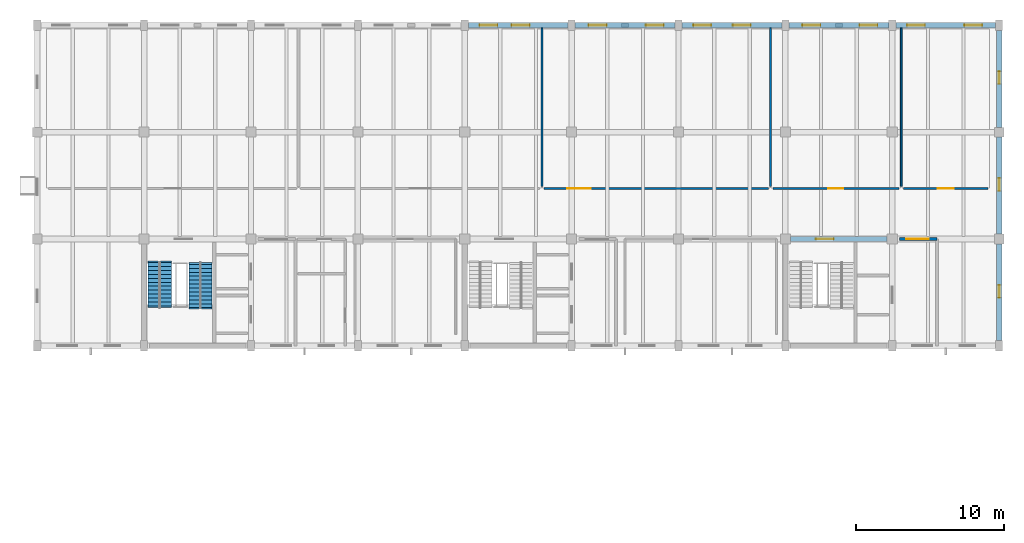
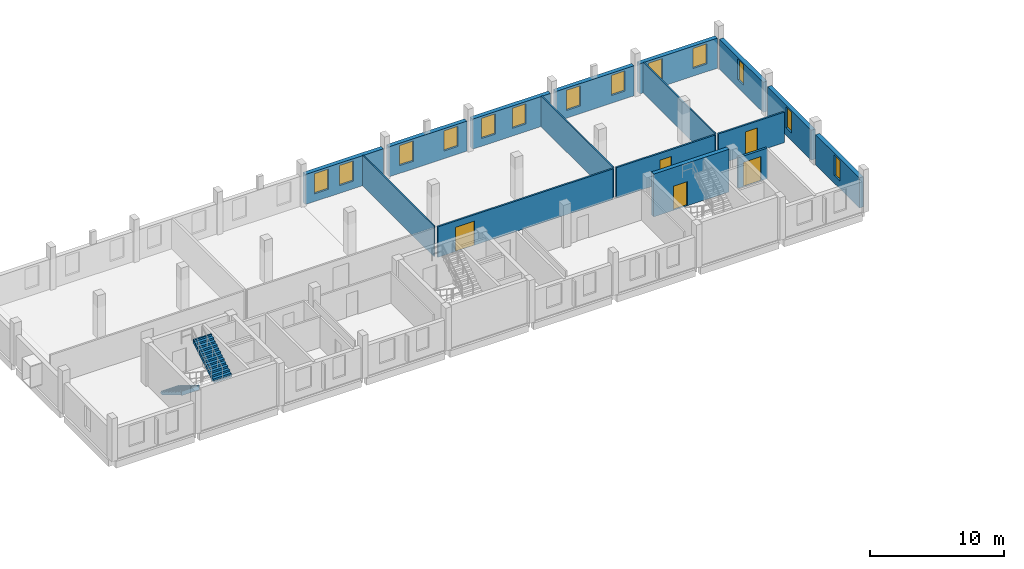
# One storey, part 8 of 11: 16 walls, 13 windows, 5 doors, 2 stair flights, 18 openings, 1 element without a shape of its own.
"""IFC4 building model written with IfcOpenShell, lengths in metres."""

from ifc_helpers import new_model, si_unit, direction, frame, frame_2d, origin, place, context, subcontext, project, spatial, polyline, rectangle, outline, extrude, material, layer, layer_set, type_object, element, fill, aggregate, save


model = new_model("IFC4")

# Units and contexts
model_context = context("Model", 3, precision=1e-05, world=origin(), true_north=direction((0.0, 1.0)))
body_context = subcontext(model_context, "Body", "Model", "MODEL_VIEW")
ifc_project = project(units=[si_unit("LENGTHUNIT", "METRE"), si_unit("AREAUNIT", "SQUARE_METRE"), si_unit("VOLUMEUNIT", "CUBIC_METRE"), si_unit("PLANEANGLEUNIT", "RADIAN"), si_unit("MASSUNIT", "GRAM", prefix="KILO")], contexts=[model_context])

# Site, building, storey
site_placement = place(None, origin())
site = spatial("IfcSite", under=ifc_project, at=site_placement, CompositionType="ELEMENT")
building_placement = place(site_placement, origin())
building = spatial("IfcBuilding", under=site, at=building_placement, Name="Qiaolan Assembly House", CompositionType="ELEMENT")
storey_placement = place(building_placement, frame((0.0, 0.0, 26.39990234375)))
storey = spatial("IfcBuildingStorey", under=building, at=storey_placement, Name="L06", CompositionType="ELEMENT", Elevation=26.39990234375)

# Wall, opening, door
ifc_material_1 = material(Name="Concrete C40/50", Category="concrete")
ifc_layer_1 = layer(ifc_material_1, 0.35009765625)
ifc_layer_set_1 = layer_set([ifc_layer_1], Name="Concrete C40/50")
wall_type_1 = type_object("IfcWallType", Name="WAL-CORE-350", PredefinedType="SHEAR", material=ifc_layer_set_1)
wall_1_placement = place(storey_placement, frame((93.25, 100.800048828125, 0.0), z_axis=(0.0, 0.0, 1.0), x_axis=(-1.0, 0.0, 0.0)))
wall_1 = element("IfcWall", 1, at=wall_1_placement, inside=storey, type_object=wall_type_1, Name="CW-350 shear core wall CORE-G N L06", PredefinedType="SHEAR", context=body_context, shape_type="SweptSolid", body=[
    extrude(rectangle(XDim=6.5, YDim=0.35009765625, at=frame_2d((3.25, 0.0))), origin(), (0.0, 0.0, 1.0), 3.900146484375),
])
opening_1_placement = place(wall_1_placement, frame((3.60009765625, 0.0, 0.0)))
opening_1 = element("IfcOpeningElement", 2, at=opening_1_placement, cuts=wall_1, Name="Opening FD-067", PredefinedType="OPENING", context=body_context, shape_type="SweptSolid", body=[
    extrude(rectangle(XDim=1.199951171875, YDim=2.199951171875, at=frame_2d((0.60009765625, 1.10009765625))), frame((0.0, 0.18505859375, 0.0), z_axis=(0.0, -1.0, 0.0), x_axis=(1.0, 0.0, 0.0)), (0.0, 0.0, 1.0), 0.3701171875),
])
ifc_material_2 = material(Name="Steel Q355B", Category="steel")
door_type_1 = type_object("IfcDoorType", Name="DOR-FIRE-FD90-1200", OperationType="NOTDEFINED", PredefinedType="DOOR", material=ifc_material_2)
door_1_placement = place(opening_1_placement, frame((1.199951171875, 0.0, 0.0), z_axis=(0.0, 0.0, 1.0), x_axis=(-1.0, 0.0, 0.0)))
door_1 = element("IfcDoor", 3, at=door_1_placement, inside=storey, type_object=door_type_1, Name="Stairwell fire door FD-067 (CORE-G L06)", OperationType="SINGLE_SWING_LEFT", OverallHeight=2.199951171875, OverallWidth=1.199951171875, PredefinedType="DOOR", context=body_context, shape_type="SweptSolid", body=[
    extrude(rectangle(XDim=1.199951171875, YDim=2.199951171875, at=frame_2d((0.60009765625, 1.10009765625))), frame((0.0, 0.02490234375, 0.0), z_axis=(0.0, -1.0, 0.0), x_axis=(1.0, 0.0, 0.0)), (0.0, 0.0, 1.0), 0.050048828125),
])
fill(opening_1, door_1)

# Wall, openings, windows
ifc_material_3 = material(Name="Honed pale limestone", Category="masonry")
ifc_layer_2 = layer(ifc_material_3, 0.360107421875)
ifc_layer_set_2 = layer_set([ifc_layer_2], Name="Honed pale limestone")
wall_type_2 = type_object("IfcWallType", Name="WAL-EXT-LIMESTONE-360", PredefinedType="SOLIDWALL", material=ifc_layer_set_2)
wall_2_placement = place(storey_placement, frame((71.761962890625, 115.199951171875, 0.0), z_axis=(0.0, 0.0, 1.0), x_axis=(-1.0, 0.0, 0.0)))
wall_2 = element("IfcWall", 4, at=wall_2_placement, inside=storey, type_object=wall_type_2, Name="EW-360 NW North street wall L06 bay 5", PredefinedType="SOLIDWALL", context=body_context, shape_type="SweptSolid", body=[
    extrude(rectangle(XDim=6.723876953125, YDim=0.360107421875, at=frame_2d((3.36181640625, 0.0))), origin(), (0.0, 0.0, 1.0), 2.739990234375),
])
opening_2_placement = place(wall_2_placement, frame((2.596923828125, 0.0, 0.699951171875)))
opening_2 = element("IfcOpeningElement", 5, at=opening_2_placement, cuts=wall_2, Name="Opening WN-196", PredefinedType="OPENING", context=body_context, shape_type="SweptSolid", body=[
    extrude(rectangle(XDim=1.199951171875, YDim=1.840087890625, at=frame_2d((0.60009765625, 0.919921875))), frame((0.0, 0.18994140625, 0.0), z_axis=(0.0, -1.0, 0.0), x_axis=(1.0, 0.0, 0.0)), (0.0, 0.0, 1.0), 0.380126953125),
])
opening_3_placement = place(wall_2_placement, frame((4.761962890625, 0.0, 0.699951171875)))
opening_3 = element("IfcOpeningElement", 6, at=opening_3_placement, cuts=wall_2, Name="Opening WN-197", PredefinedType="OPENING", context=body_context, shape_type="SweptSolid", body=[
    extrude(rectangle(XDim=1.199951171875, YDim=1.840087890625, at=frame_2d((0.60009765625, 0.919921875))), frame((0.0, 0.18994140625, 0.0), z_axis=(0.0, -1.0, 0.0), x_axis=(1.0, 0.0, 0.0)), (0.0, 0.0, 1.0), 0.380126953125),
])
ifc_material_4 = material(Name="Low-E double insulating glass", Category="glass")
window_type_1 = type_object("IfcWindowType", Name="WIN-ATTIC-1200x2100", PartitioningType="DOUBLE_PANEL_VERTICAL", PredefinedType="WINDOW", material=ifc_material_4)
window_1_placement = place(opening_2_placement, origin())
window_1 = element("IfcWindow", 7, at=window_1_placement, inside=storey, type_object=window_type_1, Name="WN-T08 window WN-196", OverallHeight=1.840087890625, OverallWidth=1.199951171875, PartitioningType="DOUBLE_PANEL_VERTICAL", PredefinedType="WINDOW", context=body_context, shape_type="SweptSolid", body=[
    extrude(rectangle(XDim=1.199951171875, YDim=1.840087890625, at=frame_2d((0.60009765625, 0.919921875))), frame((0.0, 0.030029296875, 0.0), z_axis=(0.0, -1.0, 0.0), x_axis=(1.0, 0.0, 0.0)), (0.0, 0.0, 1.0), 0.06005859375),
])
fill(opening_2, window_1)
window_2_placement = place(opening_3_placement, origin())
window_2 = element("IfcWindow", 8, at=window_2_placement, inside=storey, type_object=window_type_1, Name="WN-T08 window WN-197", OverallHeight=1.840087890625, OverallWidth=1.199951171875, PartitioningType="DOUBLE_PANEL_VERTICAL", PredefinedType="WINDOW", context=body_context, shape_type="SweptSolid", body=[
    extrude(rectangle(XDim=1.199951171875, YDim=1.840087890625, at=frame_2d((0.60009765625, 0.919921875))), frame((0.0, 0.030029296875, 0.0), z_axis=(0.0, -1.0, 0.0), x_axis=(1.0, 0.0, 0.0)), (0.0, 0.0, 1.0), 0.06005859375),
])
fill(opening_3, window_2)

wall_3_placement = place(storey_placement, frame((78.9619140625, 115.199951171875, 0.0), z_axis=(0.0, 0.0, 1.0), x_axis=(-1.0, 0.0, 0.0)))
wall_3 = element("IfcWall", 9, at=wall_3_placement, inside=storey, type_object=wall_type_2, Name="EW-360 NW North street wall L06 bay 6", PredefinedType="SOLIDWALL", context=body_context, shape_type="SweptSolid", body=[
    extrude(rectangle(XDim=6.723876953125, YDim=0.360107421875, at=frame_2d((3.36181640625, 0.0))), origin(), (0.0, 0.0, 1.0), 2.739990234375),
])
opening_4_placement = place(wall_3_placement, frame((0.761962890625, 0.0, 0.699951171875)))
opening_4 = element("IfcOpeningElement", 10, at=opening_4_placement, cuts=wall_3, Name="Opening WN-198", PredefinedType="OPENING", context=body_context, shape_type="SweptSolid", body=[
    extrude(rectangle(XDim=1.199951171875, YDim=1.840087890625, at=frame_2d((0.60009765625, 0.919921875))), frame((0.0, 0.18994140625, 0.0), z_axis=(0.0, -1.0, 0.0), x_axis=(1.0, 0.0, 0.0)), (0.0, 0.0, 1.0), 0.380126953125),
])
opening_5_placement = place(wall_3_placement, frame((4.612060546875, 0.0, 0.699951171875)))
opening_5 = element("IfcOpeningElement", 11, at=opening_5_placement, cuts=wall_3, Name="Opening WN-199", PredefinedType="OPENING", context=body_context, shape_type="SweptSolid", body=[
    extrude(rectangle(XDim=1.199951171875, YDim=1.840087890625, at=frame_2d((0.60009765625, 0.919921875))), frame((0.0, 0.18994140625, 0.0), z_axis=(0.0, -1.0, 0.0), x_axis=(1.0, 0.0, 0.0)), (0.0, 0.0, 1.0), 0.380126953125),
])
window_3_placement = place(opening_4_placement, origin())
window_3 = element("IfcWindow", 12, at=window_3_placement, inside=storey, type_object=window_type_1, Name="WN-T08 window WN-198", OverallHeight=1.840087890625, OverallWidth=1.199951171875, PartitioningType="DOUBLE_PANEL_VERTICAL", PredefinedType="WINDOW", context=body_context, shape_type="SweptSolid", body=[
    extrude(rectangle(XDim=1.199951171875, YDim=1.840087890625, at=frame_2d((0.60009765625, 0.919921875))), frame((0.0, 0.030029296875, 0.0), z_axis=(0.0, -1.0, 0.0), x_axis=(1.0, 0.0, 0.0)), (0.0, 0.0, 1.0), 0.06005859375),
])
fill(opening_4, window_3)
window_4_placement = place(opening_5_placement, origin())
window_4 = element("IfcWindow", 13, at=window_4_placement, inside=storey, type_object=window_type_1, Name="WN-T08 window WN-199", OverallHeight=1.840087890625, OverallWidth=1.199951171875, PartitioningType="DOUBLE_PANEL_VERTICAL", PredefinedType="WINDOW", context=body_context, shape_type="SweptSolid", body=[
    extrude(rectangle(XDim=1.199951171875, YDim=1.840087890625, at=frame_2d((0.60009765625, 0.919921875))), frame((0.0, 0.030029296875, 0.0), z_axis=(0.0, -1.0, 0.0), x_axis=(1.0, 0.0, 0.0)), (0.0, 0.0, 1.0), 0.06005859375),
])
fill(opening_5, window_4)

wall_4_placement = place(storey_placement, frame((86.162109375, 115.199951171875, 0.0), z_axis=(0.0, 0.0, 1.0), x_axis=(-1.0, 0.0, 0.0)))
wall_4 = element("IfcWall", 14, at=wall_4_placement, inside=storey, type_object=wall_type_2, Name="EW-360 NW North street wall L06 bay 7", PredefinedType="SOLIDWALL", context=body_context, shape_type="SweptSolid", body=[
    extrude(rectangle(XDim=6.72412109375, YDim=0.360107421875, at=frame_2d((3.362060546875, 0.0))), origin(), (0.0, 0.0, 1.0), 2.739990234375),
])
opening_6_placement = place(wall_4_placement, frame((2.096923828125, 0.0, 0.699951171875)))
opening_6 = element("IfcOpeningElement", 15, at=opening_6_placement, cuts=wall_4, Name="Opening WN-200", PredefinedType="OPENING", context=body_context, shape_type="SweptSolid", body=[
    extrude(rectangle(XDim=1.199951171875, YDim=1.840087890625, at=frame_2d((0.60009765625, 0.919921875))), frame((0.0, 0.18994140625, 0.0), z_axis=(0.0, -1.0, 0.0), x_axis=(1.0, 0.0, 0.0)), (0.0, 0.0, 1.0), 0.380126953125),
])
opening_7_placement = place(wall_4_placement, frame((4.761962890625, 0.0, 0.699951171875)))
opening_7 = element("IfcOpeningElement", 16, at=opening_7_placement, cuts=wall_4, Name="Opening WN-201", PredefinedType="OPENING", context=body_context, shape_type="SweptSolid", body=[
    extrude(rectangle(XDim=1.199951171875, YDim=1.840087890625, at=frame_2d((0.60009765625, 0.919921875))), frame((0.0, 0.18994140625, 0.0), z_axis=(0.0, -1.0, 0.0), x_axis=(1.0, 0.0, 0.0)), (0.0, 0.0, 1.0), 0.380126953125),
])
window_5_placement = place(opening_6_placement, origin())
window_5 = element("IfcWindow", 17, at=window_5_placement, inside=storey, type_object=window_type_1, Name="WN-T08 window WN-200", OverallHeight=1.840087890625, OverallWidth=1.199951171875, PartitioningType="DOUBLE_PANEL_VERTICAL", PredefinedType="WINDOW", context=body_context, shape_type="SweptSolid", body=[
    extrude(rectangle(XDim=1.199951171875, YDim=1.840087890625, at=frame_2d((0.60009765625, 0.919921875))), frame((0.0, 0.030029296875, 0.0), z_axis=(0.0, -1.0, 0.0), x_axis=(1.0, 0.0, 0.0)), (0.0, 0.0, 1.0), 0.06005859375),
])
fill(opening_6, window_5)
window_6_placement = place(opening_7_placement, origin())
window_6 = element("IfcWindow", 18, at=window_6_placement, inside=storey, type_object=window_type_1, Name="WN-T08 window WN-201", OverallHeight=1.840087890625, OverallWidth=1.199951171875, PartitioningType="DOUBLE_PANEL_VERTICAL", PredefinedType="WINDOW", context=body_context, shape_type="SweptSolid", body=[
    extrude(rectangle(XDim=1.199951171875, YDim=1.840087890625, at=frame_2d((0.60009765625, 0.919921875))), frame((0.0, 0.030029296875, 0.0), z_axis=(0.0, -1.0, 0.0), x_axis=(1.0, 0.0, 0.0)), (0.0, 0.0, 1.0), 0.06005859375),
])
fill(opening_7, window_6)

wall_5_placement = place(storey_placement, frame((93.362060546875, 115.199951171875, 0.0), z_axis=(0.0, 0.0, 1.0), x_axis=(-1.0, 0.0, 0.0)))
wall_5 = element("IfcWall", 19, at=wall_5_placement, inside=storey, type_object=wall_type_2, Name="EW-360 NW North street wall L06 bay 8", PredefinedType="SOLIDWALL", context=body_context, shape_type="SweptSolid", body=[
    extrude(rectangle(XDim=6.72412109375, YDim=0.360107421875, at=frame_2d((3.362060546875, 0.0))), origin(), (0.0, 0.0, 1.0), 2.739990234375),
])
opening_8_placement = place(wall_5_placement, frame((0.761962890625, 0.0, 0.699951171875)))
opening_8 = element("IfcOpeningElement", 20, at=opening_8_placement, cuts=wall_5, Name="Opening WN-202", PredefinedType="OPENING", context=body_context, shape_type="SweptSolid", body=[
    extrude(rectangle(XDim=1.199951171875, YDim=1.840087890625, at=frame_2d((0.60009765625, 0.919921875))), frame((0.0, 0.18994140625, 0.0), z_axis=(0.0, -1.0, 0.0), x_axis=(1.0, 0.0, 0.0)), (0.0, 0.0, 1.0), 0.380126953125),
])
opening_9_placement = place(wall_5_placement, frame((4.612060546875, 0.0, 0.699951171875)))
opening_9 = element("IfcOpeningElement", 21, at=opening_9_placement, cuts=wall_5, Name="Opening WN-203", PredefinedType="OPENING", context=body_context, shape_type="SweptSolid", body=[
    extrude(rectangle(XDim=1.199951171875, YDim=1.840087890625, at=frame_2d((0.60009765625, 0.919921875))), frame((0.0, 0.18994140625, 0.0), z_axis=(0.0, -1.0, 0.0), x_axis=(1.0, 0.0, 0.0)), (0.0, 0.0, 1.0), 0.380126953125),
])
window_7_placement = place(opening_8_placement, origin())
window_7 = element("IfcWindow", 22, at=window_7_placement, inside=storey, type_object=window_type_1, Name="WN-T08 window WN-202", OverallHeight=1.840087890625, OverallWidth=1.199951171875, PartitioningType="DOUBLE_PANEL_VERTICAL", PredefinedType="WINDOW", context=body_context, shape_type="SweptSolid", body=[
    extrude(rectangle(XDim=1.199951171875, YDim=1.840087890625, at=frame_2d((0.60009765625, 0.919921875))), frame((0.0, 0.030029296875, 0.0), z_axis=(0.0, -1.0, 0.0), x_axis=(1.0, 0.0, 0.0)), (0.0, 0.0, 1.0), 0.06005859375),
])
fill(opening_8, window_7)
window_8_placement = place(opening_9_placement, origin())
window_8 = element("IfcWindow", 23, at=window_8_placement, inside=storey, type_object=window_type_1, Name="WN-T08 window WN-203", OverallHeight=1.840087890625, OverallWidth=1.199951171875, PartitioningType="DOUBLE_PANEL_VERTICAL", PredefinedType="WINDOW", context=body_context, shape_type="SweptSolid", body=[
    extrude(rectangle(XDim=1.199951171875, YDim=1.840087890625, at=frame_2d((0.60009765625, 0.919921875))), frame((0.0, 0.030029296875, 0.0), z_axis=(0.0, -1.0, 0.0), x_axis=(1.0, 0.0, 0.0)), (0.0, 0.0, 1.0), 0.06005859375),
])
fill(opening_9, window_8)

wall_6_placement = place(storey_placement, frame((100.56201171875, 115.199951171875, 0.0), z_axis=(0.0, 0.0, 1.0), x_axis=(-1.0, 0.0, 0.0)))
wall_6 = element("IfcWall", 24, at=wall_6_placement, inside=storey, type_object=wall_type_2, Name="EW-360 NW North street wall L06 bay 9", PredefinedType="SOLIDWALL", context=body_context, shape_type="SweptSolid", body=[
    extrude(rectangle(XDim=6.72412109375, YDim=0.360107421875, at=frame_2d((3.362060546875, 0.0))), origin(), (0.0, 0.0, 1.0), 2.739990234375),
])
opening_10_placement = place(wall_6_placement, frame((0.912109375, 0.0, 0.699951171875)))
opening_10 = element("IfcOpeningElement", 25, at=opening_10_placement, cuts=wall_6, Name="Opening WN-204", PredefinedType="OPENING", context=body_context, shape_type="SweptSolid", body=[
    extrude(rectangle(XDim=1.199951171875, YDim=1.840087890625, at=frame_2d((0.60009765625, 0.919921875))), frame((0.0, 0.18994140625, 0.0), z_axis=(0.0, -1.0, 0.0), x_axis=(1.0, 0.0, 0.0)), (0.0, 0.0, 1.0), 0.380126953125),
])
opening_11_placement = place(wall_6_placement, frame((4.761962890625, 0.0, 0.699951171875)))
opening_11 = element("IfcOpeningElement", 26, at=opening_11_placement, cuts=wall_6, Name="Opening WN-205", PredefinedType="OPENING", context=body_context, shape_type="SweptSolid", body=[
    extrude(rectangle(XDim=1.199951171875, YDim=1.840087890625, at=frame_2d((0.60009765625, 0.919921875))), frame((0.0, 0.18994140625, 0.0), z_axis=(0.0, -1.0, 0.0), x_axis=(1.0, 0.0, 0.0)), (0.0, 0.0, 1.0), 0.380126953125),
])
window_9_placement = place(opening_10_placement, origin())
window_9 = element("IfcWindow", 27, at=window_9_placement, inside=storey, type_object=window_type_1, Name="WN-T08 window WN-204", OverallHeight=1.840087890625, OverallWidth=1.199951171875, PartitioningType="DOUBLE_PANEL_VERTICAL", PredefinedType="WINDOW", context=body_context, shape_type="SweptSolid", body=[
    extrude(rectangle(XDim=1.199951171875, YDim=1.840087890625, at=frame_2d((0.60009765625, 0.919921875))), frame((0.0, 0.030029296875, 0.0), z_axis=(0.0, -1.0, 0.0), x_axis=(1.0, 0.0, 0.0)), (0.0, 0.0, 1.0), 0.06005859375),
])
fill(opening_10, window_9)
window_10_placement = place(opening_11_placement, origin())
window_10 = element("IfcWindow", 28, at=window_10_placement, inside=storey, type_object=window_type_1, Name="WN-T08 window WN-205", OverallHeight=1.840087890625, OverallWidth=1.199951171875, PartitioningType="DOUBLE_PANEL_VERTICAL", PredefinedType="WINDOW", context=body_context, shape_type="SweptSolid", body=[
    extrude(rectangle(XDim=1.199951171875, YDim=1.840087890625, at=frame_2d((0.60009765625, 0.919921875))), frame((0.0, 0.030029296875, 0.0), z_axis=(0.0, -1.0, 0.0), x_axis=(1.0, 0.0, 0.0)), (0.0, 0.0, 1.0), 0.06005859375),
])
fill(opening_11, window_10)

# Wall, opening, window
wall_7_placement = place(storey_placement, frame((100.800048828125, 100.47705078125, 0.0), z_axis=(0.0, 0.0, 1.0), x_axis=(0.0, -1.0, 0.0)))
wall_7 = element("IfcWall", 29, at=wall_7_placement, inside=storey, type_object=wall_type_2, Name="NW East wall L06-1", PredefinedType="SOLIDWALL", context=body_context, shape_type="SweptSolid", body=[
    extrude(rectangle(XDim=6.524169921875, YDim=0.360107421875, at=frame_2d((3.26220703125, 0.0))), origin(), (0.0, 0.0, 1.0), 2.739990234375),
])
opening_12_placement = place(wall_7_placement, frame((2.777099609375, 0.0, 0.699951171875)))
opening_12 = element("IfcOpeningElement", 30, at=opening_12_placement, cuts=wall_7, Name="Opening WN-219", PredefinedType="OPENING", context=body_context, shape_type="SweptSolid", body=[
    extrude(rectangle(XDim=0.85009765625, YDim=1.889892578125, at=frame_2d((0.425048828125, 0.94482421875))), frame((0.0, 0.18994140625, 0.0), z_axis=(0.0, -1.0, 0.0), x_axis=(1.0, 0.0, 0.0)), (0.0, 0.0, 1.0), 0.380126953125),
])
window_type_2 = type_object("IfcWindowType", Name="WIN-END-850x2200", PartitioningType="SINGLE_PANEL", PredefinedType="WINDOW", material=ifc_material_4)
window_11_placement = place(opening_12_placement, origin())
window_11 = element("IfcWindow", 31, at=window_11_placement, inside=storey, type_object=window_type_2, Name="NW East window WN-219", OverallHeight=1.889892578125, OverallWidth=0.85009765625, PartitioningType="SINGLE_PANEL", PredefinedType="WINDOW", context=body_context, shape_type="SweptSolid", body=[
    extrude(rectangle(XDim=0.85009765625, YDim=1.889892578125, at=frame_2d((0.425048828125, 0.94482421875))), frame((0.0, 0.030029296875, 0.0), z_axis=(0.0, -1.0, 0.0), x_axis=(1.0, 0.0, 0.0)), (0.0, 0.0, 1.0), 0.06005859375),
])
fill(opening_12, window_11)

wall_8_placement = place(storey_placement, frame((100.800048828125, 107.677001953125, 0.0), z_axis=(0.0, 0.0, 1.0), x_axis=(0.0, -1.0, 0.0)))
wall_8 = element("IfcWall", 32, at=wall_8_placement, inside=storey, type_object=wall_type_2, Name="NW East wall L06-2", PredefinedType="SOLIDWALL", context=body_context, shape_type="SweptSolid", body=[
    extrude(rectangle(XDim=6.553955078125, YDim=0.360107421875, at=frame_2d((3.27685546875, 0.0))), origin(), (0.0, 0.0, 1.0), 2.739990234375),
])
opening_13_placement = place(wall_8_placement, frame((2.777099609375, 0.0, 0.699951171875)))
opening_13 = element("IfcOpeningElement", 33, at=opening_13_placement, cuts=wall_8, Name="Opening WN-221", PredefinedType="OPENING", context=body_context, shape_type="SweptSolid", body=[
    extrude(rectangle(XDim=0.85009765625, YDim=1.889892578125, at=frame_2d((0.425048828125, 0.94482421875))), frame((0.0, 0.18994140625, 0.0), z_axis=(0.0, -1.0, 0.0), x_axis=(1.0, 0.0, 0.0)), (0.0, 0.0, 1.0), 0.380126953125),
])
window_12_placement = place(opening_13_placement, origin())
window_12 = element("IfcWindow", 34, at=window_12_placement, inside=storey, type_object=window_type_2, Name="NW East window WN-221", OverallHeight=1.889892578125, OverallWidth=0.85009765625, PartitioningType="SINGLE_PANEL", PredefinedType="WINDOW", context=body_context, shape_type="SweptSolid", body=[
    extrude(rectangle(XDim=0.85009765625, YDim=1.889892578125, at=frame_2d((0.425048828125, 0.94482421875))), frame((0.0, 0.030029296875, 0.0), z_axis=(0.0, -1.0, 0.0), x_axis=(1.0, 0.0, 0.0)), (0.0, 0.0, 1.0), 0.06005859375),
])
fill(opening_13, window_12)

wall_9_placement = place(storey_placement, frame((100.800048828125, 114.846923828125, 0.0), z_axis=(0.0, 0.0, 1.0), x_axis=(0.0, -1.0, 0.0)))
wall_9 = element("IfcWall", 35, at=wall_9_placement, inside=storey, type_object=wall_type_2, Name="NW East wall L06-3", PredefinedType="SOLIDWALL", context=body_context, shape_type="SweptSolid", body=[
    extrude(rectangle(XDim=6.52392578125, YDim=0.360107421875, at=frame_2d((3.261962890625, 0.0))), origin(), (0.0, 0.0, 1.0), 2.739990234375),
])
opening_14_placement = place(wall_9_placement, frame((2.7470703125, 0.0, 0.699951171875)))
opening_14 = element("IfcOpeningElement", 36, at=opening_14_placement, cuts=wall_9, Name="Opening WN-223", PredefinedType="OPENING", context=body_context, shape_type="SweptSolid", body=[
    extrude(rectangle(XDim=0.85009765625, YDim=1.889892578125, at=frame_2d((0.425048828125, 0.94482421875))), frame((0.0, 0.18994140625, 0.0), z_axis=(0.0, -1.0, 0.0), x_axis=(1.0, 0.0, 0.0)), (0.0, 0.0, 1.0), 0.380126953125),
])
window_13_placement = place(opening_14_placement, origin())
window_13 = element("IfcWindow", 37, at=window_13_placement, inside=storey, type_object=window_type_2, Name="NW East window WN-223", OverallHeight=1.889892578125, OverallWidth=0.85009765625, PartitioningType="SINGLE_PANEL", PredefinedType="WINDOW", context=body_context, shape_type="SweptSolid", body=[
    extrude(rectangle(XDim=0.85009765625, YDim=1.889892578125, at=frame_2d((0.425048828125, 0.94482421875))), frame((0.0, 0.030029296875, 0.0), z_axis=(0.0, -1.0, 0.0), x_axis=(1.0, 0.0, 0.0)), (0.0, 0.0, 1.0), 0.06005859375),
])
fill(opening_14, window_13)

# Wall, opening, door
ifc_material_5 = material(Name="Concrete C35/45", Category="concrete")
ifc_layer_3 = layer(ifc_material_5, 0.199951171875)
ifc_layer_set_3 = layer_set([ifc_layer_3], Name="Concrete C35/45")
wall_type_3 = type_object("IfcWallType", Name="WAL-LOBBY-200", PredefinedType="PARTITIONING", material=ifc_layer_set_3)
wall_10_placement = place(storey_placement, frame((96.60009765625, 100.800048828125, 0.0), z_axis=(0.0, 0.0, 1.0), x_axis=(-1.0, 0.0, 0.0)))
wall_10 = element("IfcWall", 38, at=wall_10_placement, inside=storey, type_object=wall_type_3, Name="Firefighting lift lobby north wall CORE-G L06", PredefinedType="PARTITIONING", context=body_context, shape_type="SweptSolid", body=[
    extrude(rectangle(XDim=2.52001953125, YDim=0.199951171875, at=frame_2d((1.260009765625, 0.0))), origin(), (0.0, 0.0, 1.0), 2.780029296875),
])
opening_15_placement = place(wall_10_placement, frame((0.550048828125, 0.0, 0.0)))
opening_15 = element("IfcOpeningElement", 39, at=opening_15_placement, cuts=wall_10, Name="Opening FD-068", PredefinedType="OPENING", context=body_context, shape_type="SweptSolid", body=[
    extrude(rectangle(XDim=1.5, YDim=2.199951171875, at=frame_2d((0.75, 1.10009765625))), frame((0.0, 0.10986328125, 0.0), z_axis=(0.0, -1.0, 0.0), x_axis=(1.0, 0.0, 0.0)), (0.0, 0.0, 1.0), 0.219970703125),
])
ifc_material_6 = material(Name="Acoustic oak panelling")
door_type_2 = type_object("IfcDoorType", Name="DOR-LOBBY-FD60-1500", OperationType="DOUBLE_DOOR_SINGLE_SWING", PredefinedType="DOOR", material=ifc_material_6)
door_2_placement = place(opening_15_placement, frame((1.5, 0.0, 0.0), z_axis=(0.0, 0.0, 1.0), x_axis=(-1.0, 0.0, 0.0)))
door_2 = element("IfcDoor", 40, at=door_2_placement, inside=storey, type_object=door_type_2, Name="Lobby corridor fire door FD-068", OperationType="DOUBLE_DOOR_SINGLE_SWING", OverallHeight=2.199951171875, OverallWidth=1.5, PredefinedType="DOOR", context=body_context, shape_type="SweptSolid", body=[
    extrude(rectangle(XDim=1.5, YDim=2.199951171875, at=frame_2d((0.75, 1.10009765625))), frame((0.0, 0.02490234375, 0.0), z_axis=(0.0, -1.0, 0.0), x_axis=(1.0, 0.0, 0.0)), (0.0, 0.0, 1.0), 0.050048828125),
])
fill(opening_15, door_2)

# Walls
ifc_material_7 = material(Name="Gypsum plasterboard partition")
ifc_layer_4 = layer(ifc_material_7, 0.1201171875)
ifc_layer_set_4 = layer_set([ifc_layer_4], Name="Gypsum plasterboard partition")
wall_type_4 = type_object("IfcWallType", Name="WAL-PART-120", PredefinedType="PARTITIONING", material=ifc_layer_set_4)
for number, where, z_axis, x_axis, name in (
    (41, (70.0, 104.35009765625, 0.0), (0.0, 0.0, 1.0), (0.0, 1.0, 0.0), "International Sister-Cities Protocol Suite demising wall"),
    (42, (85.39990234375, 104.35009765625, 0.0), (0.0, 0.0, 1.0), (0.0, 1.0, 0.0), "Translation & Press Release Studio demising wall"),
    (43, (94.199951171875, 104.35009765625, 0.0), (0.0, 0.0, 1.0), (0.0, 1.0, 0.0), "Protocol Archive & Gift Safe demising wall"),
):
    element("IfcWall", number, at=place(storey_placement, frame(where, z_axis=z_axis, x_axis=x_axis)), inside=storey, type_object=wall_type_4, Name=name, PredefinedType="PARTITIONING", context=body_context, shape_type="SweptSolid", body=[
        extrude(rectangle(XDim=10.669921875, YDim=0.1201171875, at=frame_2d((5.3349609375, 0.0))), origin(), (0.0, 0.0, 1.0), 2.780029296875),
    ])

# Wall, opening, door
ifc_layer_5 = layer(ifc_material_7, 0.14990234375)
ifc_layer_set_5 = layer_set([ifc_layer_5], Name="Gypsum plasterboard partition")
wall_type_5 = type_object("IfcWallType", Name="WAL-PART-150", PredefinedType="PARTITIONING", material=ifc_layer_set_5)
wall_11_placement = place(storey_placement, frame((70.14990234375, 104.199951171875, 0.0), z_axis=(0.0, 0.0, 1.0), x_axis=(1.0, 0.0, 0.0)))
wall_11 = element("IfcWall", 44, at=wall_11_placement, inside=storey, type_object=wall_type_5, Name="International Sister-Cities Protocol Suite corridor wall", PredefinedType="PARTITIONING", context=body_context, shape_type="SweptSolid", body=[
    extrude(rectangle(XDim=15.10009765625, YDim=0.14990234375, at=frame_2d((7.550048828125, 0.0))), origin(), (0.0, 0.0, 1.0), 2.780029296875),
])
opening_16_placement = place(wall_11_placement, frame((1.550048828125, 0.0, 0.0)))
opening_16 = element("IfcOpeningElement", 45, at=opening_16_placement, cuts=wall_11, Name="Opening ND-224", PredefinedType="OPENING", context=body_context, shape_type="SweptSolid", body=[
    extrude(rectangle(XDim=1.60009765625, YDim=2.199951171875, at=frame_2d((0.800048828125, 1.10009765625))), frame((0.0, 0.0849609375, 0.0), z_axis=(0.0, -1.0, 0.0), x_axis=(1.0, 0.0, 0.0)), (0.0, 0.0, 1.0), 0.169921875),
])
door_type_3 = type_object("IfcDoorType", Name="DOR-COMM-DBL-1600", OperationType="DOUBLE_DOOR_SINGLE_SWING", PredefinedType="DOOR", material=ifc_material_6)
door_3_placement = place(opening_16_placement, origin())
door_3 = element("IfcDoor", 46, at=door_3_placement, inside=storey, type_object=door_type_3, Name="International Sister-Cities Protocol Suite door ND-224", OperationType="DOUBLE_DOOR_SINGLE_SWING", OverallHeight=2.199951171875, OverallWidth=1.60009765625, PredefinedType="DOOR", context=body_context, shape_type="SweptSolid", body=[
    extrude(rectangle(XDim=1.60009765625, YDim=2.199951171875, at=frame_2d((0.800048828125, 1.10009765625))), frame((0.0, 0.02490234375, 0.0), z_axis=(0.0, -1.0, 0.0), x_axis=(1.0, 0.0, 0.0)), (0.0, 0.0, 1.0), 0.050048828125),
])
fill(opening_16, door_3)

wall_12_placement = place(storey_placement, frame((85.550048828125, 104.199951171875, 0.0), z_axis=(0.0, 0.0, 1.0), x_axis=(1.0, 0.0, 0.0)))
wall_12 = element("IfcWall", 47, at=wall_12_placement, inside=storey, type_object=wall_type_5, Name="Translation & Press Release Studio corridor wall", PredefinedType="PARTITIONING", context=body_context, shape_type="SweptSolid", body=[
    extrude(rectangle(XDim=8.5, YDim=0.14990234375, at=frame_2d((4.25, 0.0))), origin(), (0.0, 0.0, 1.0), 2.780029296875),
])
opening_17_placement = place(wall_12_placement, frame((3.75, 0.0, 0.0)))
opening_17 = element("IfcOpeningElement", 48, at=opening_17_placement, cuts=wall_12, Name="Opening ND-225", PredefinedType="OPENING", context=body_context, shape_type="SweptSolid", body=[
    extrude(rectangle(XDim=1.0, YDim=2.14990234375, at=frame_2d((0.5, 1.074951171875))), frame((0.0, 0.0849609375, 0.0), z_axis=(0.0, -1.0, 0.0), x_axis=(1.0, 0.0, 0.0)), (0.0, 0.0, 1.0), 0.169921875),
])
door_type_4 = type_object("IfcDoorType", Name="DOR-OFF-SGL-1000", OperationType="NOTDEFINED", PredefinedType="DOOR", material=ifc_material_6)
door_4_placement = place(opening_17_placement, origin())
door_4 = element("IfcDoor", 49, at=door_4_placement, inside=storey, type_object=door_type_4, Name="Translation & Press Release Studio door ND-225", OperationType="SINGLE_SWING_RIGHT", OverallHeight=2.14990234375, OverallWidth=1.0, PredefinedType="DOOR", context=body_context, shape_type="SweptSolid", body=[
    extrude(rectangle(XDim=1.0, YDim=2.14990234375, at=frame_2d((0.5, 1.074951171875))), frame((0.0, 0.02490234375, 0.0), z_axis=(0.0, -1.0, 0.0), x_axis=(1.0, 0.0, 0.0)), (0.0, 0.0, 1.0), 0.050048828125),
])
fill(opening_17, door_4)

wall_13_placement = place(storey_placement, frame((94.35009765625, 104.199951171875, 0.0), z_axis=(0.0, 0.0, 1.0), x_axis=(1.0, 0.0, 0.0)))
wall_13 = element("IfcWall", 50, at=wall_13_placement, inside=storey, type_object=wall_type_5, Name="Protocol Archive & Gift Safe corridor wall", PredefinedType="PARTITIONING", context=body_context, shape_type="SweptSolid", body=[
    extrude(rectangle(XDim=5.699951171875, YDim=0.14990234375, at=frame_2d((2.85009765625, 0.0))), origin(), (0.0, 0.0, 1.0), 2.780029296875),
])
opening_18_placement = place(wall_13_placement, frame((2.324951171875, 0.0, 0.0)))
opening_18 = element("IfcOpeningElement", 51, at=opening_18_placement, cuts=wall_13, Name="Opening ND-226", PredefinedType="OPENING", context=body_context, shape_type="SweptSolid", body=[
    extrude(rectangle(XDim=1.050048828125, YDim=2.14990234375, at=frame_2d((0.52490234375, 1.074951171875))), frame((0.0, 0.0849609375, 0.0), z_axis=(0.0, -1.0, 0.0), x_axis=(1.0, 0.0, 0.0)), (0.0, 0.0, 1.0), 0.169921875),
])
door_type_5 = type_object("IfcDoorType", Name="DOR-OFF-LRG-1050", OperationType="NOTDEFINED", PredefinedType="DOOR", material=ifc_material_6)
door_5_placement = place(opening_18_placement, origin())
door_5 = element("IfcDoor", 52, at=door_5_placement, inside=storey, type_object=door_type_5, Name="Protocol Archive & Gift Safe door ND-226", OperationType="SINGLE_SWING_LEFT", OverallHeight=2.14990234375, OverallWidth=1.050048828125, PredefinedType="DOOR", context=body_context, shape_type="SweptSolid", body=[
    extrude(rectangle(XDim=1.050048828125, YDim=2.14990234375, at=frame_2d((0.52490234375, 1.074951171875))), frame((0.0, 0.02490234375, 0.0), z_axis=(0.0, -1.0, 0.0), x_axis=(1.0, 0.0, 0.0)), (0.0, 0.0, 1.0), 0.050048828125),
])
fill(opening_18, door_5)

# Stair, stair flights
stair_type = type_object("IfcStairType", Name="STR-UPPER-390", PredefinedType="HALF_TURN_STAIR", material=ifc_material_1)
stair_placement = place(storey_placement, origin())
stair = element("IfcStair", 53, at=stair_placement, inside=storey, type_object=stair_type, Name="ST-08 enclosed egress stair CORE-A L06", PredefinedType="HALF_TURN_STAIR")
stair_flight_type = type_object("IfcStairFlightType", Name="STR-UPPER-390-FLT", PredefinedType="STRAIGHT", material=ifc_material_1)
stair_flight_1_placement = place(storey_placement, frame((44.25, 99.2099609375, 0.0), z_axis=(0.0, 0.0, 1.0), x_axis=(0.0, -1.0, 0.0)))
stair_flight_1 = element("IfcStairFlight", 54, at=stair_flight_1_placement, type_object=stair_flight_type, Name="ST-08F stair flight FLT-CORE-A-L06-1", NumberOfRisers=12, NumberOfTreads=11, PredefinedType="STRAIGHT", RiserHeight=0.1625, TreadLength=0.265, context=body_context, shape_type="SweptSolid", body=[
    extrude(outline(polyline([(-0.10009765625, -0.1201171875), (-0.10009765625, 0.0), (0.0, 0.0), (0.0, 0.16259765625), (0.264892578125, 0.16259765625), (0.264892578125, 0.324951171875), (0.530029296875, 0.324951171875), (0.530029296875, 0.487548828125), (0.794921875, 0.487548828125), (0.794921875, 0.64990234375), (1.06005859375, 0.64990234375), (1.06005859375, 0.8125), (1.324951171875, 0.8125), (1.324951171875, 0.97509765625), (1.590087890625, 0.97509765625), (1.590087890625, 1.137451171875), (1.85498046875, 1.137451171875), (1.85498046875, 1.300048828125), (2.1201171875, 1.300048828125), (2.1201171875, 1.46240234375), (2.385009765625, 1.46240234375), (2.385009765625, 1.625), (2.64990234375, 1.625), (2.64990234375, 1.78759765625), (2.9150390625, 1.78759765625), (2.9150390625, 1.949951171875), (3.03515625, 1.949951171875), (3.03515625, 1.552978515625), (2.9150390625, 1.552978515625), (0.1865234375, -0.1201171875), (-0.10009765625, -0.1201171875)])), frame((0.0, 0.780029296875, 0.0), z_axis=(0.0, -1.0, 0.0), x_axis=(1.0, 0.0, 0.0)), (0.0, 0.0, 1.0), 1.56005859375),
])
stair_flight_2_placement = place(storey_placement, frame((47.0, 96.175048828125, 1.9501953125), z_axis=(0.0, 0.0, 1.0), x_axis=(0.0, 1.0, 0.0)))
stair_flight_2 = element("IfcStairFlight", 55, at=stair_flight_2_placement, type_object=stair_flight_type, Name="ST-08F stair flight FLT-CORE-A-L06-2", NumberOfRisers=12, NumberOfTreads=11, PredefinedType="STRAIGHT", RiserHeight=0.1625, TreadLength=0.265, context=body_context, shape_type="SweptSolid", body=[
    extrude(outline(polyline([(-0.10009765625, -0.1201171875), (-0.10009765625, 0.0), (0.0, 0.0), (0.0, 0.16259765625), (0.264892578125, 0.16259765625), (0.264892578125, 0.324951171875), (0.530029296875, 0.324951171875), (0.530029296875, 0.487548828125), (0.794921875, 0.487548828125), (0.794921875, 0.64990234375), (1.06005859375, 0.64990234375), (1.06005859375, 0.8125), (1.324951171875, 0.8125), (1.324951171875, 0.97509765625), (1.590087890625, 0.97509765625), (1.590087890625, 1.137451171875), (1.85498046875, 1.137451171875), (1.85498046875, 1.300048828125), (2.1201171875, 1.300048828125), (2.1201171875, 1.46240234375), (2.385009765625, 1.46240234375), (2.385009765625, 1.625), (2.64990234375, 1.625), (2.64990234375, 1.78759765625), (2.9150390625, 1.78759765625), (2.9150390625, 1.949951171875), (3.03515625, 1.949951171875), (3.03515625, 1.552978515625), (2.9150390625, 1.552978515625), (0.1865234375, -0.1201171875), (-0.10009765625, -0.1201171875)])), frame((0.0, 0.780029296875, 0.0), z_axis=(0.0, -1.0, 0.0), x_axis=(1.0, 0.0, 0.0)), (0.0, 0.0, 1.0), 1.56005859375),
])
aggregate(stair, [stair_flight_1, stair_flight_2])

save(model, "model.ifc")
